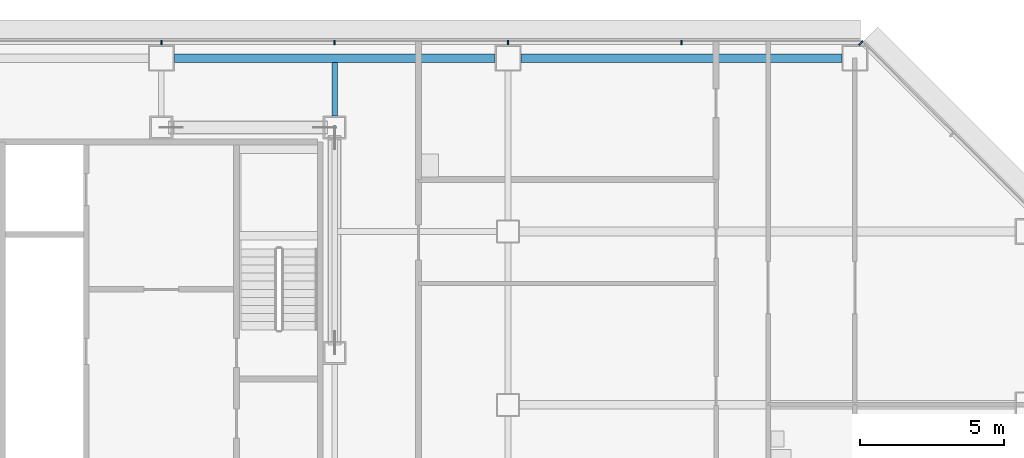
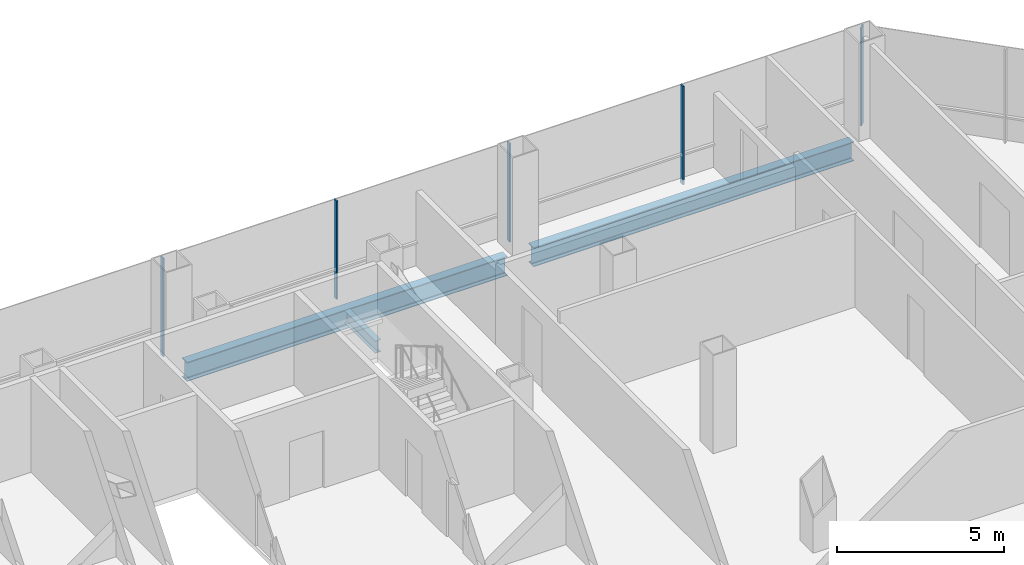
# One storey, part 15 of 27: 5 members, 3 beams, 2 elements without a shape of their own.
"""IFC4 building model written with IfcOpenShell, lengths in metres."""

from ifc_helpers import new_model, si_unit, direction, frame, origin, origin_2d, place, context, subcontext, project, spatial, rectangle, i_section, extrude, material, material_profile, profile_set, type_object, element, aggregate, save


model = new_model("IFC4")

# Units and contexts
model_context = context("Model", 3, precision=1e-05, world=origin(), true_north=direction((0.0, 1.0)))
body_context = subcontext(model_context, "Body", "Model", "MODEL_VIEW")
ifc_project = project(units=[si_unit("LENGTHUNIT", "METRE"), si_unit("AREAUNIT", "SQUARE_METRE"), si_unit("VOLUMEUNIT", "CUBIC_METRE"), si_unit("PLANEANGLEUNIT", "RADIAN"), si_unit("MASSUNIT", "GRAM", prefix="KILO")], contexts=[model_context])

# Site, building, storey
site_placement = place(None, origin())
site = spatial("IfcSite", under=ifc_project, at=site_placement, CompositionType="ELEMENT")
building_placement = place(site_placement, origin())
building = spatial("IfcBuilding", under=site, at=building_placement, Name="Sorahane Residences", CompositionType="ELEMENT")
storey_placement = place(building_placement, frame((0.0, 0.0, 82.199951171875)))
storey = spatial("IfcBuildingStorey", under=building, at=storey_placement, Name="L17", CompositionType="ELEMENT", Elevation=82.199951171875)

# Curtain wall, members
ifc_material_1 = material(Name="Dark low-e glass and black anodised aluminium", Category="aluminium")
curtain_wall_type_1 = type_object("IfcCurtainWallType", Name="Curtain wall CW-1 Typical unitised wall", PredefinedType="NOTDEFINED", material=ifc_material_1)
curtain_wall_1_placement = place(storey_placement, origin())
curtain_wall_1 = element("IfcCurtainWall", 1, at=curtain_wall_1_placement, inside=storey, type_object=curtain_wall_type_1, Name="CW-1 curtain wall L17 N1", PredefinedType="NOTDEFINED")
ifc_material_2 = material(Name="Black anodised aluminium", Category="aluminium")
ifc_material_profile_1 = material_profile(ifc_material_2, rectangle(XDim=0.159912109375, YDim=0.050048828125, at=origin_2d()), Name="Curtain wall mullion CW-1 black anodised aluminium 50x160")
ifc_profile_set_1 = profile_set([ifc_material_profile_1], Name="Black anodised aluminium")
member_type_1 = type_object("IfcMemberType", Name="Curtain wall mullion CW-1 black anodised aluminium 50x160", PredefinedType="MULLION", material=ifc_profile_set_1)
member_1_placement = place(storey_placement, frame((54.0, 48.5400390625, -0.179931640625), z_axis=(0.0, 0.0, 1.0), x_axis=(0.0, 1.0, 0.0)))
member_1 = element("IfcMember", 2, at=member_1_placement, type_object=member_type_1, Name="CW-1 mullion L17 N1.2", PredefinedType="MULLION", context=body_context, shape_type="SweptSolid", body=[
    extrude(rectangle(XDim=0.159912109375, YDim=0.050048828125, at=origin_2d()), origin(), (0.0, 0.0, 1.0), 3.60009765625),
])
member_2_placement = place(storey_placement, frame((48.0, 48.5400390625, -0.179931640625), z_axis=(0.0, 0.0, 1.0), x_axis=(0.0, 1.0, 0.0)))
member_2 = element("IfcMember", 3, at=member_2_placement, type_object=member_type_1, Name="CW-1 mullion L17 N1.3", PredefinedType="MULLION", context=body_context, shape_type="SweptSolid", body=[
    extrude(rectangle(XDim=0.159912109375, YDim=0.050048828125, at=origin_2d()), origin(), (0.0, 0.0, 1.0), 3.60009765625),
])
member_3_placement = place(storey_placement, frame((42.0, 48.5400390625, -0.179931640625), z_axis=(0.0, 0.0, 1.0), x_axis=(0.0, 1.0, 0.0)))
member_3 = element("IfcMember", 4, at=member_3_placement, type_object=member_type_1, Name="CW-1 mullion L17 N1.4", PredefinedType="MULLION", context=body_context, shape_type="SweptSolid", body=[
    extrude(rectangle(XDim=0.159912109375, YDim=0.050048828125, at=origin_2d()), origin(), (0.0, 0.0, 1.0), 3.60009765625),
])
member_4_placement = place(storey_placement, frame((36.0, 48.5400390625, -0.179931640625), z_axis=(0.0, 0.0, 1.0), x_axis=(0.0, 1.0, 0.0)))
member_4 = element("IfcMember", 5, at=member_4_placement, type_object=member_type_1, Name="CW-1 mullion L17 N1.5", PredefinedType="MULLION", context=body_context, shape_type="SweptSolid", body=[
    extrude(rectangle(XDim=0.159912109375, YDim=0.050048828125, at=origin_2d()), origin(), (0.0, 0.0, 1.0), 3.60009765625),
])
aggregate(curtain_wall_1, [member_1, member_2, member_3, member_4])

# Curtain wall, member
ifc_material_3 = material(Name="Dark low-e glass and black anodised aluminium", Category="aluminium")
curtain_wall_type_2 = type_object("IfcCurtainWallType", Name="Curtain wall CW-2 Chamfer unitised wall", PredefinedType="NOTDEFINED", material=ifc_material_3)
curtain_wall_2_placement = place(storey_placement, origin())
curtain_wall_2 = element("IfcCurtainWall", 6, at=curtain_wall_2_placement, inside=storey, type_object=curtain_wall_type_2, Name="CW-2 curtain wall L17 NE1", PredefinedType="NOTDEFINED")
ifc_material_4 = material(Name="Black anodised aluminium", Category="aluminium")
ifc_material_profile_2 = material_profile(ifc_material_4, rectangle(XDim=0.199951171875, YDim=0.050048828125, at=origin_2d()), Name="Curtain wall mullion CW-2 black anodised aluminium 50x200")
ifc_profile_set_2 = profile_set([ifc_material_profile_2], Name="Black anodised aluminium")
member_type_2 = type_object("IfcMemberType", Name="Curtain wall mullion CW-2 black anodised aluminium 50x200", PredefinedType="MULLION", material=ifc_profile_set_2)
member_5_placement = place(storey_placement, frame((60.209716796875, 48.525634765625, -0.179931640625), z_axis=(0.0, 0.0, 1.0), x_axis=(0.707106781187, 0.707106781187, 0.0)))
member_5 = element("IfcMember", 7, at=member_5_placement, type_object=member_type_2, Name="CW-2 mullion L17 NE1.3", PredefinedType="MULLION", context=body_context, shape_type="SweptSolid", body=[
    extrude(rectangle(XDim=0.199951171875, YDim=0.050048828125, at=origin_2d()), origin(), (0.0, 0.0, 1.0), 3.60009765625),
])
aggregate(curtain_wall_2, [member_5])

# Beams
ifc_material_5 = material(Name="Steel Q355B", Category="steel")
ifc_material_profile_3 = material_profile(ifc_material_5, i_section(OverallWidth=0.199951171875, OverallDepth=0.449951171875, WebThickness=0.009033203125, FlangeThickness=0.013916015625, FilletRadius=0.02001953125, at=origin_2d()), Name="HN 450x200x9x14")
ifc_profile_set_3 = profile_set([ifc_material_profile_3], Name="Steel Q355B")
beam_type_1 = type_object("IfcBeamType", Name="Steel floor beam HN 450x200x9x14 Q355B", PredefinedType="BEAM", material=ifc_profile_set_3)
beam_placement = place(storey_placement, frame((42.0, 46.0, -0.405029296875), z_axis=(0.0, 1.0, 0.0), x_axis=(-1.0, 0.0, 0.0)))
element("IfcBeam", 8, at=beam_placement, inside=storey, type_object=beam_type_1, Name="Beam L17 049", PredefinedType="BEAM", context=body_context, shape_type="SweptSolid", body=[
    extrude(i_section(OverallWidth=0.199951171875, OverallDepth=0.449951171875, WebThickness=0.009033203125, FlangeThickness=0.013916015625, FilletRadius=0.02001953125, at=origin_2d()), origin(), (0.0, 0.0, 1.0), 1.85009765625),
])
ifc_material_6 = material(Name="Steel Q355B", Category="steel")
ifc_material_profile_4 = material_profile(ifc_material_6, i_section(OverallWidth=0.300048828125, OverallDepth=0.699951171875, WebThickness=0.012939453125, FlangeThickness=0.02392578125, FilletRadius=0.028076171875, at=origin_2d()), Name="HN 700x300x13x24")
ifc_profile_set_4 = profile_set([ifc_material_profile_4], Name="Steel Q355B")
beam_type_2 = type_object("IfcBeamType", Name="Steel floor beam HN 700x300x13x24 Q355B", PredefinedType="BEAM", material=ifc_profile_set_4)
for number, where, z_axis, x_axis, name in (
    (9, (36.449951171875, 48.0, -0.530029296875), (1.0, 0.0, 0.0), (0.0, 1.0, 0.0), "Beam L17 015"),
    (10, (48.449951171875, 48.0, -0.530029296875), (1.0, 0.0, 0.0), (0.0, 1.0, 0.0), "Beam L17 016"),
):
    element("IfcBeam", number, at=place(storey_placement, frame(where, z_axis=z_axis, x_axis=x_axis)), inside=storey, type_object=beam_type_2, Name=name, PredefinedType="BEAM", context=body_context, shape_type="SweptSolid", body=[
        extrude(i_section(OverallWidth=0.300048828125, OverallDepth=0.699951171875, WebThickness=0.012939453125, FlangeThickness=0.02392578125, FilletRadius=0.028076171875, at=origin_2d()), origin(), (0.0, 0.0, 1.0), 11.10009765625),
    ])

save(model, "model.ifc")
